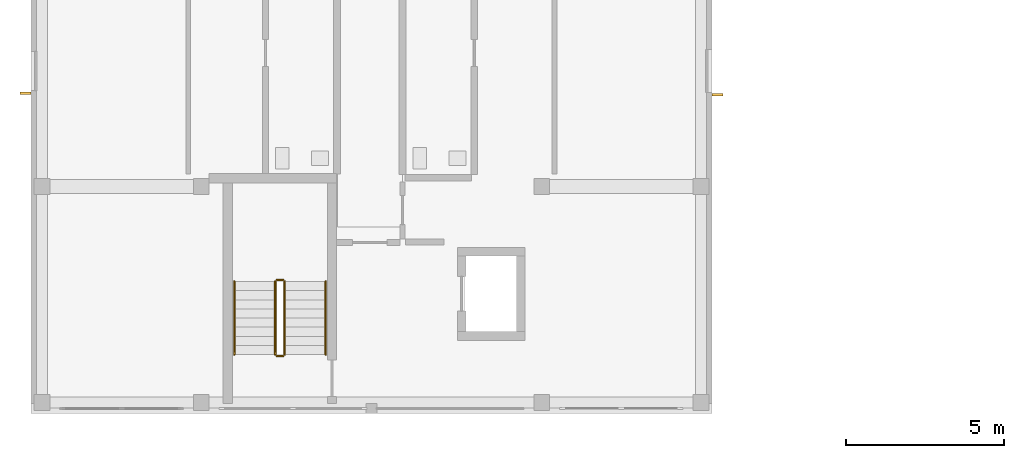
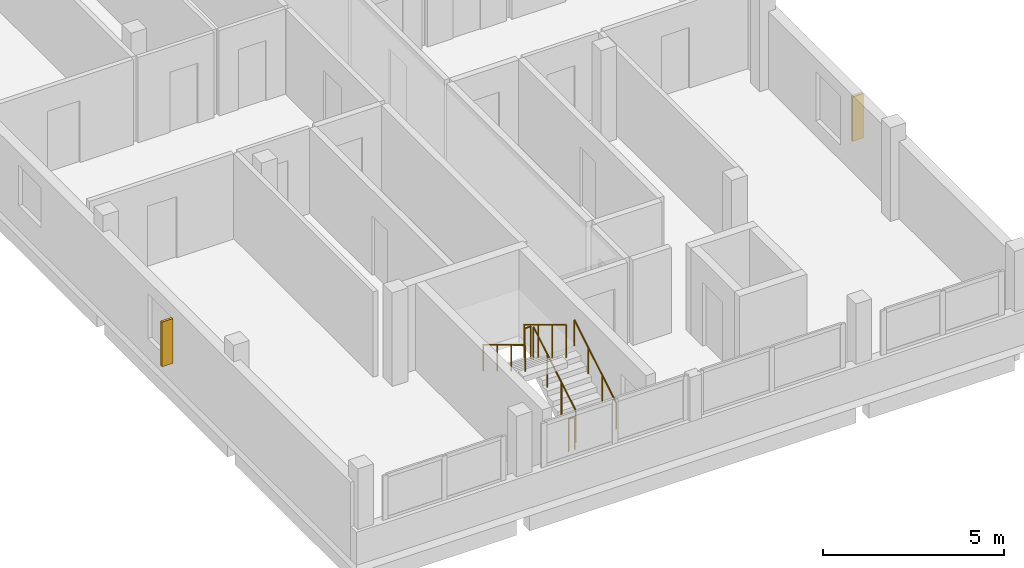
# One storey, part 12 of 16: 6 railings, 2 shading devices.
"""IFC4 building model written with IfcOpenShell, lengths in metres."""

from ifc_helpers import new_model, si_unit, derived_unit, direction, frame, origin, origin_2d, place, context, subcontext, project, spatial, rectangle, circle, extrude, material, type_object, element, save


model = new_model("IFC4")

# Units and contexts
model_context = context("Model", 3, precision=1e-05, world=origin(), true_north=direction((0.0, 1.0)))
body_context = subcontext(model_context, "Body", "Model", "MODEL_VIEW")
ifc_project = project(units=[si_unit("LENGTHUNIT", "METRE"), si_unit("AREAUNIT", "SQUARE_METRE"), si_unit("VOLUMEUNIT", "CUBIC_METRE"), si_unit("PLANEANGLEUNIT", "RADIAN"), si_unit("MASSUNIT", "GRAM", prefix="KILO"), derived_unit("THERMALTRANSMITTANCEUNIT", [(si_unit("MASSUNIT", "GRAM", prefix="KILO"), 1), (si_unit("TIMEUNIT", "SECOND"), -3), (si_unit("THERMODYNAMICTEMPERATUREUNIT", "KELVIN"), -1)])], contexts=[model_context])

# Site, building, storey
site_placement = place(None, origin())
site = spatial("IfcSite", under=ifc_project, at=site_placement, CompositionType="ELEMENT")
building_placement = place(site_placement, origin())
building = spatial("IfcBuilding", under=site, at=building_placement, Name="Ochrekiln Boulevard Commons", CompositionType="ELEMENT")
storey_placement = place(building_placement, frame((0.0, 0.0, 43.574951171875)))
storey = spatial("IfcBuildingStorey", under=building, at=storey_placement, Name="L13", CompositionType="ELEMENT", Elevation=43.574951171875)

# Railings
ifc_material_1 = material(Name="Brushed stainless steel 316 tubular railing", Category="steel")
railing_type_1 = type_object("IfcRailingType", Name="RLG-HDR-900", PredefinedType="HANDRAIL", material=ifc_material_1)
railing_1_placement = place(storey_placement, frame((9.35009765625, 70.27001953125, 0.175048828125)))
element("IfcRailing", 1, at=railing_1_placement, inside=storey, type_object=railing_type_1, Name="L13 ST-A1 stair handrail 1", PredefinedType="HANDRAIL", context=body_context, shape_type="SweptSolid", body=[
    extrude(circle(Radius=0.02392578125, at=origin_2d()), frame((0.0, 0.0, 0.8759765625), z_axis=(0.0, 0.85621033714, 0.516627388526), x_axis=(-1.0, 0.0, 0.0)), (0.0, 0.0, 1.0), 2.709716796875),
    extrude(circle(Radius=0.02099609375, at=origin_2d()), origin(), (0.0, 0.0, 1.0), 0.851806640625),
    extrude(circle(Radius=0.02099609375, at=origin_2d()), frame((0.0, 0.7734375, 0.466552734375)), (0.0, 0.0, 1.0), 0.851806640625),
    extrude(circle(Radius=0.02099609375, at=origin_2d()), frame((0.0, 1.546630859375, 0.933349609375)), (0.0, 0.0, 1.0), 0.851806640625),
    extrude(circle(Radius=0.02099609375, at=origin_2d()), frame((0.0, 2.320068359375, 1.39990234375)), (0.0, 0.0, 1.0), 0.851806640625),
])
railing_2_placement = place(storey_placement, frame((6.449951171875, 72.590087890625, 1.75)))
element("IfcRailing", 2, at=railing_2_placement, inside=storey, type_object=railing_type_1, Name="L13 ST-A1 stair handrail 2", PredefinedType="HANDRAIL", context=body_context, shape_type="SweptSolid", body=[
    extrude(circle(Radius=0.02392578125, at=origin_2d()), frame((0.0, 0.0, 0.8759765625), z_axis=(0.0, -0.856170481923, 0.516693435108), x_axis=(1.0, 0.0, 0.0)), (0.0, 0.0, 1.0), 2.709716796875),
    extrude(circle(Radius=0.02099609375, at=origin_2d()), origin(), (0.0, 0.0, 1.0), 0.851806640625),
    extrude(circle(Radius=0.02099609375, at=origin_2d()), frame((0.0, -0.7734375, 0.466796875)), (0.0, 0.0, 1.0), 0.851806640625),
    extrude(circle(Radius=0.02099609375, at=origin_2d()), frame((0.0, -1.546630859375, 0.933349609375)), (0.0, 0.0, 1.0), 0.851806640625),
    extrude(circle(Radius=0.02099609375, at=origin_2d()), frame((0.0, -2.320068359375, 1.400146484375)), (0.0, 0.0, 1.0), 0.851806640625),
])
railing_type_2 = type_object("IfcRailingType", Name="RLG-STR-1120", PredefinedType="BALUSTRADE", material=ifc_material_1)
railing_3_placement = place(storey_placement, frame((8.050048828125, 70.27001953125, 0.175048828125)))
element("IfcRailing", 3, at=railing_3_placement, inside=storey, type_object=railing_type_2, Name="L13 ST-A1 stair guard 1", PredefinedType="BALUSTRADE", context=body_context, shape_type="SweptSolid", body=[
    extrude(circle(Radius=0.02392578125, at=origin_2d()), frame((0.0, 0.0, 1.09619140625), z_axis=(0.0, 0.85621033714, 0.516627388526), x_axis=(-1.0, 0.0, 0.0)), (0.0, 0.0, 1.0), 2.709716796875),
    extrude(circle(Radius=0.02099609375, at=origin_2d()), origin(), (0.0, 0.0, 1.0), 1.072021484375),
    extrude(circle(Radius=0.02099609375, at=origin_2d()), frame((0.0, 0.7734375, 0.466552734375)), (0.0, 0.0, 1.0), 1.072021484375),
    extrude(circle(Radius=0.02099609375, at=origin_2d()), frame((0.0, 1.546630859375, 0.933349609375)), (0.0, 0.0, 1.0), 1.072021484375),
    extrude(circle(Radius=0.02099609375, at=origin_2d()), frame((0.0, 2.320068359375, 1.39990234375)), (0.0, 0.0, 1.0), 1.072021484375),
])
railing_4_placement = place(storey_placement, frame((8.0, 72.639892578125, 1.574951171875)))
element("IfcRailing", 4, at=railing_4_placement, inside=storey, type_object=railing_type_2, Name="L13 ST-A1 stair guard 2", PredefinedType="BALUSTRADE", context=body_context, shape_type="SweptSolid", body=[
    extrude(circle(Radius=0.02392578125, at=origin_2d()), frame((0.0, 0.0, 1.09619140625), z_axis=(-1.0, 0.0, 0.0), x_axis=(0.0, -1.0, 0.0)), (0.0, 0.0, 1.0), 0.199951171875),
    extrude(circle(Radius=0.02099609375, at=origin_2d()), origin(), (0.0, 0.0, 1.0), 1.072021484375),
    extrude(circle(Radius=0.02099609375, at=origin_2d()), frame((-0.199951171875, 0.0, 0.0)), (0.0, 0.0, 1.0), 1.072021484375),
])
railing_5_placement = place(storey_placement, frame((7.75, 72.590087890625, 1.75)))
element("IfcRailing", 5, at=railing_5_placement, inside=storey, type_object=railing_type_2, Name="L13 ST-A1 stair guard 3", PredefinedType="BALUSTRADE", context=body_context, shape_type="SweptSolid", body=[
    extrude(circle(Radius=0.02392578125, at=origin_2d()), frame((0.0, 0.0, 1.09619140625), z_axis=(0.0, -0.856170481923, 0.516693435108), x_axis=(1.0, 0.0, 0.0)), (0.0, 0.0, 1.0), 2.709716796875),
    extrude(circle(Radius=0.02099609375, at=origin_2d()), origin(), (0.0, 0.0, 1.0), 1.072021484375),
    extrude(circle(Radius=0.02099609375, at=origin_2d()), frame((0.0, -0.7734375, 0.466796875)), (0.0, 0.0, 1.0), 1.072021484375),
    extrude(circle(Radius=0.02099609375, at=origin_2d()), frame((0.0, -1.546630859375, 0.933349609375)), (0.0, 0.0, 1.0), 1.072021484375),
    extrude(circle(Radius=0.02099609375, at=origin_2d()), frame((0.0, -2.320068359375, 1.400146484375)), (0.0, 0.0, 1.0), 1.072021484375),
])
railing_6_placement = place(storey_placement, frame((8.0, 70.219970703125, 0.0)))
element("IfcRailing", 6, at=railing_6_placement, inside=storey, type_object=railing_type_2, Name="L13 ST-A1 stair guard 4", PredefinedType="BALUSTRADE", context=body_context, shape_type="SweptSolid", body=[
    extrude(circle(Radius=0.02392578125, at=origin_2d()), frame((0.0, 0.0, 1.09619140625), z_axis=(-1.0, 0.0, 0.0), x_axis=(0.0, -1.0, 0.0)), (0.0, 0.0, 1.0), 0.199951171875),
    extrude(circle(Radius=0.02099609375, at=origin_2d()), origin(), (0.0, 0.0, 1.0), 1.072021484375),
    extrude(circle(Radius=0.02099609375, at=origin_2d()), frame((-0.199951171875, 0.0, 0.0)), (0.0, 0.0, 1.0), 1.072021484375),
])

# Shading devices
ifc_material_2 = material(Name="Glazed architectural terracotta ASTM C1405", Category="masonry")
shading_device_type = type_object("IfcShadingDeviceType", Name="SHD-FIN-TERRA", PredefinedType="JALOUSIE", material=ifc_material_2)
for number, where, z_axis, x_axis, name in (
    (7, (-0.169921875, 78.56005859375, 0.6650390625), (0.0, 0.0, 1.0), (1.0, 0.0, 0.0), "Terracotta Solar Shading Fin SF-01 (23)"),
    (8, (21.77001953125, 78.510009765625, 0.590087890625), (0.0, 0.0, 1.0), (1.0, 0.0, 0.0), "Terracotta Solar Shading Fin SF-01 (24)"),
):
    element("IfcShadingDevice", number, at=place(storey_placement, frame(where, z_axis=z_axis, x_axis=x_axis)), inside=storey, type_object=shading_device_type, Name=name, PredefinedType="JALOUSIE", context=body_context, shape_type="SweptSolid", body=[
        extrude(rectangle(XDim=0.35009765625, YDim=0.080078125, at=origin_2d()), origin(), (0.0, 0.0, 1.0), 1.5),
    ])

save(model, "model.ifc")
